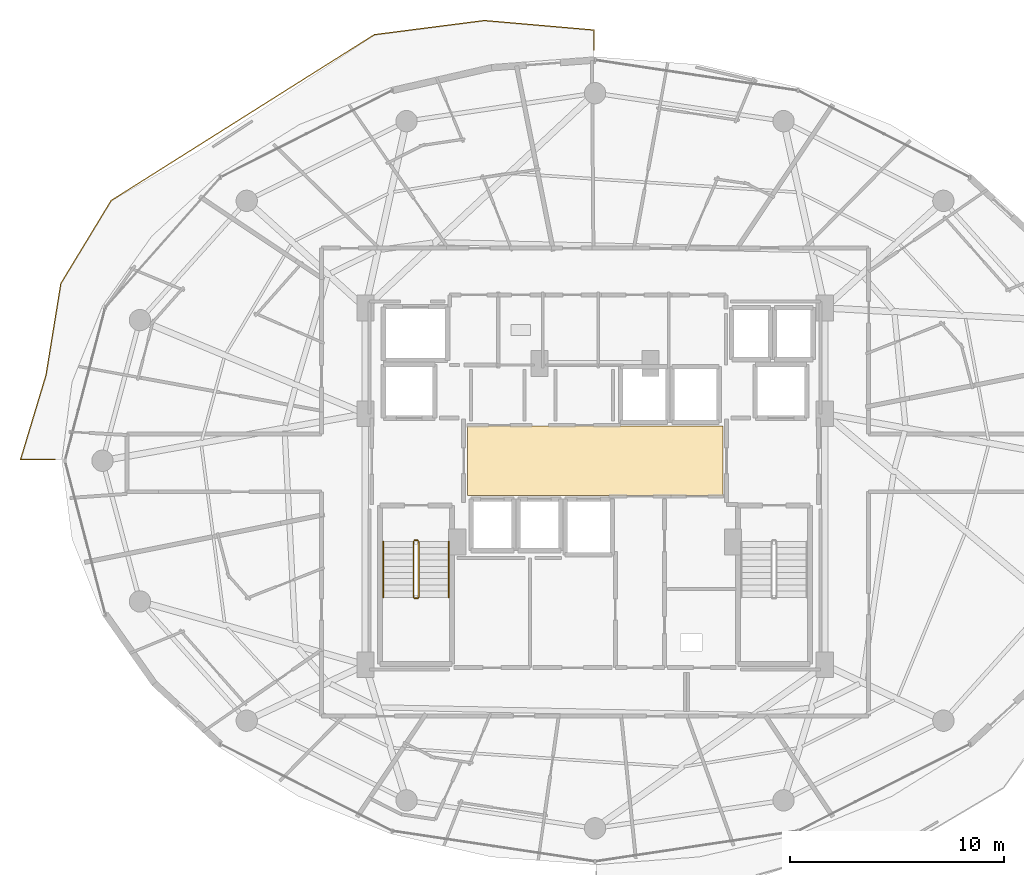
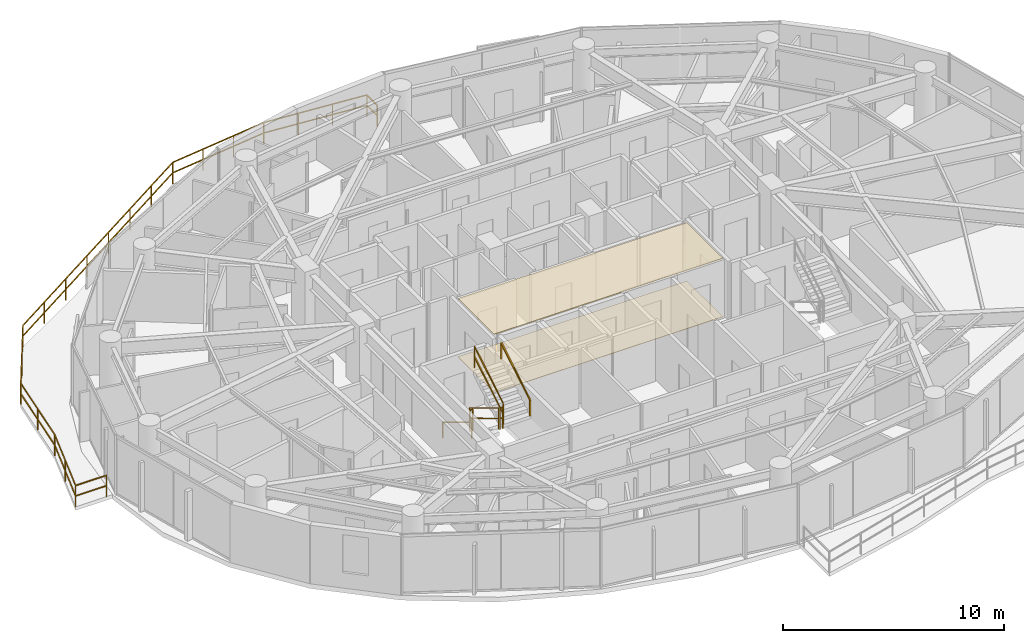
# One storey, part 27 of 30: 8 railings, 2 coverings.
"""IFC4 building model written with IfcOpenShell, lengths in metres."""

from ifc_helpers import new_model, si_unit, direction, frame, origin, origin_2d, place, context, subcontext, project, spatial, polyline, rectangle, outline, extrude, material, layer, layer_set, type_object, element, save


model = new_model("IFC4")

# Units and contexts
model_context = context("Model", 3, precision=1e-05, world=origin(), true_north=direction((0.0, 1.0)))
body_context = subcontext(model_context, "Body", "Model", "MODEL_VIEW")
ifc_project = project(units=[si_unit("LENGTHUNIT", "METRE"), si_unit("AREAUNIT", "SQUARE_METRE"), si_unit("VOLUMEUNIT", "CUBIC_METRE"), si_unit("PLANEANGLEUNIT", "RADIAN"), si_unit("MASSUNIT", "GRAM", prefix="KILO")], contexts=[model_context])

# Site, building, storey
site_placement = place(None, origin())
site = spatial("IfcSite", under=ifc_project, at=site_placement, CompositionType="ELEMENT")
building_placement = place(site_placement, origin())
building = spatial("IfcBuilding", under=site, at=building_placement, Name="Vorneva Point Tower", CompositionType="ELEMENT")
storey_placement = place(building_placement, frame((0.0, 0.0, 157.10009765625)))
storey = spatial("IfcBuildingStorey", under=building, at=storey_placement, Name="L42", CompositionType="ELEMENT", Elevation=157.10009765625)

# Coverings
ifc_material_1 = material(Name="Perforated acoustic aluminium baffle ceiling", Category="aluminium")
ifc_layer_1 = layer(ifc_material_1, 0.030029296875)
ifc_layer_set_1 = layer_set([ifc_layer_1], Name="Perforated acoustic aluminium baffle ceiling")
covering_type_1 = type_object("IfcCoveringType", Name="COV-CEIL-BAF", PredefinedType="CEILING", material=ifc_layer_set_1)
covering_1_placement = place(storey_placement, frame((0.0, 0.0, 3.2099609375)))
element("IfcCovering", 1, at=covering_1_placement, inside=storey, type_object=covering_type_1, Name="L42 Lift Lobby Acoustic Baffle Ceiling", PredefinedType="CEILING", context=body_context, shape_type="SweptSolid", body=[
    extrude(outline(polyline([(32.02001953125, 24.3701171875), (43.97998046875, 24.3701171875), (43.97998046875, 27.6298828125), (32.02001953125, 27.6298828125), (32.02001953125, 24.3701171875)])), origin(), (0.0, 0.0, 1.0), 0.034912109375),
])
ifc_material_2 = material(Name="Acoustic wool hospitality carpet", Category="textile")
ifc_layer_2 = layer(ifc_material_2, 0.01806640625)
ifc_layer_set_2 = layer_set([ifc_layer_2], Name="Acoustic wool hospitality carpet")
covering_type_2 = type_object("IfcCoveringType", Name="COV-FLR-CRP", PredefinedType="FLOORING", material=ifc_layer_set_2)
covering_2_placement = place(storey_placement, frame((0.0, 0.0, -0.005126953125)))
element("IfcCovering", 2, at=covering_2_placement, inside=storey, type_object=covering_type_2, Name="L42 Lift Lobby Floor Finish", PredefinedType="FLOORING", context=body_context, shape_type="SweptSolid", body=[
    extrude(outline(polyline([(32.02001953125, 24.3701171875), (43.97998046875, 24.3701171875), (43.97998046875, 27.6298828125), (32.02001953125, 27.6298828125), (32.02001953125, 24.3701171875)])), origin(), (0.0, 0.0, 1.0), 0.02294921875),
])

# Railings
ifc_material_3 = material(Name="Pale anodised aluminium", Category="aluminium")
railing_type_1 = type_object("IfcRailingType", Name="RL-BAL-1200", PredefinedType="BALUSTRADE", material=ifc_material_3)
railing_1_placement = place(storey_placement, frame((11.114990234375, 26.050048828125, 0.0)))
element("IfcRailing", 3, at=railing_1_placement, inside=storey, type_object=railing_type_1, Name="L42 Wave Balcony Balustrade NW.1", PredefinedType="BALUSTRADE", context=body_context, shape_type="SweptSolid", body=[
    extrude(rectangle(XDim=0.048095703125, YDim=0.048095703125, at=origin_2d()), frame((0.0, 0.0, 1.17578125), z_axis=(1.0, 0.0, 0.0), x_axis=(0.0, 1.0, 0.0)), (0.0, 0.0, 1.0), 1.618896484375),
    extrude(rectangle(XDim=0.048095703125, YDim=0.048095703125, at=origin_2d()), frame((0.0, 0.0, 0.60009765625), z_axis=(1.0, 0.0, 0.0), x_axis=(0.0, 1.0, 0.0)), (0.0, 0.0, 1.0), 1.618896484375),
    extrude(rectangle(XDim=0.0419921875, YDim=0.0419921875, at=origin_2d()), origin(), (0.0, 0.0, 1.0), 1.15185546875),
    extrude(rectangle(XDim=0.0419921875, YDim=0.0419921875, at=origin_2d()), frame((1.618896484375, 0.0, 0.0)), (0.0, 0.0, 1.0), 1.15185546875),
])
railing_2_placement = place(storey_placement, frame((37.949951171875, 45.21728515625, 0.0)))
element("IfcRailing", 4, at=railing_2_placement, inside=storey, type_object=railing_type_1, Name="L42 Wave Balcony Balustrade NW.2", PredefinedType="BALUSTRADE", context=body_context, shape_type="SweptSolid", body=[
    extrude(rectangle(XDim=0.048095703125, YDim=0.048095703125, at=origin_2d()), frame((0.0, 0.0, 1.17578125), z_axis=(0.0, 1.0, 0.0), x_axis=(-1.0, 0.0, 0.0)), (0.0, 0.0, 1.0), 0.93701171875),
    extrude(rectangle(XDim=0.048095703125, YDim=0.048095703125, at=origin_2d()), frame((0.0, 0.0, 0.60009765625), z_axis=(0.0, 1.0, 0.0), x_axis=(-1.0, 0.0, 0.0)), (0.0, 0.0, 1.0), 0.93701171875),
    extrude(rectangle(XDim=0.048095703125, YDim=0.048095703125, at=origin_2d()), frame((0.0, 0.93701171875, 1.17578125), z_axis=(-0.996243079237, 0.086600964614, 0.0), x_axis=(-0.086600964614, -0.996243079237, 0.0)), (0.0, 0.0, 1.0), 5.147705078125),
    extrude(rectangle(XDim=0.048095703125, YDim=0.048095703125, at=origin_2d()), frame((0.0, 0.93701171875, 0.60009765625), z_axis=(-0.996243079237, 0.086600964614, 0.0), x_axis=(-0.086600964614, -0.996243079237, 0.0)), (0.0, 0.0, 1.0), 5.147705078125),
    extrude(rectangle(XDim=0.048095703125, YDim=0.048095703125, at=origin_2d()), frame((-5.12841796875, 1.3828125, 1.17578125), z_axis=(-0.991850899775, -0.127404052585, 0.0), x_axis=(0.127404052585, -0.991850899775, 0.0)), (0.0, 0.0, 1.0), 5.189208984375),
    extrude(rectangle(XDim=0.048095703125, YDim=0.048095703125, at=origin_2d()), frame((-5.12841796875, 1.3828125, 0.60009765625), z_axis=(-0.991850899775, -0.127404052585, 0.0), x_axis=(0.127404052585, -0.991850899775, 0.0)), (0.0, 0.0, 1.0), 5.189208984375),
    extrude(rectangle(XDim=0.048095703125, YDim=0.048095703125, at=origin_2d()), frame((-10.275390625, 0.7216796875, 1.17578125), z_axis=(-0.846000083638, -0.533182762742, 0.0), x_axis=(0.533182762742, -0.846000083638, 0.0)), (0.0, 0.0, 1.0), 14.56103515625),
    extrude(rectangle(XDim=0.048095703125, YDim=0.048095703125, at=origin_2d()), frame((-10.275390625, 0.7216796875, 0.60009765625), z_axis=(-0.846000083638, -0.533182762742, 0.0), x_axis=(0.533182762742, -0.846000083638, 0.0)), (0.0, 0.0, 1.0), 14.56103515625),
    extrude(rectangle(XDim=0.048095703125, YDim=0.048095703125, at=origin_2d()), frame((-22.593994140625, -7.0419921875, 1.17578125), z_axis=(-0.518660697508, -0.854980164016, 0.0), x_axis=(0.854980164016, -0.518660697508, 0.0)), (0.0, 0.0, 1.0), 4.536376953125),
    extrude(rectangle(XDim=0.048095703125, YDim=0.048095703125, at=origin_2d()), frame((-22.593994140625, -7.0419921875, 0.60009765625), z_axis=(-0.518660697508, -0.854980164016, 0.0), x_axis=(0.854980164016, -0.518660697508, 0.0)), (0.0, 0.0, 1.0), 4.536376953125),
    extrude(rectangle(XDim=0.048095703125, YDim=0.048095703125, at=origin_2d()), frame((-24.94677734375, -10.92041015625, 1.17578125), z_axis=(-0.160142185803, -0.987093957193, 0.0), x_axis=(0.987093957193, -0.160142185803, 0.0)), (0.0, 0.0, 1.0), 4.344970703125),
    extrude(rectangle(XDim=0.048095703125, YDim=0.048095703125, at=origin_2d()), frame((-24.94677734375, -10.92041015625, 0.60009765625), z_axis=(-0.160142185803, -0.987093957193, 0.0), x_axis=(0.987093957193, -0.160142185803, 0.0)), (0.0, 0.0, 1.0), 4.344970703125),
    extrude(rectangle(XDim=0.048095703125, YDim=0.048095703125, at=origin_2d()), frame((-25.642578125, -15.209228515625, 1.17578125), z_axis=(-0.28845305272, -0.957494039865, 0.0), x_axis=(0.957494039865, -0.28845305272, 0.0)), (0.0, 0.0, 1.0), 4.1337890625),
    extrude(rectangle(XDim=0.048095703125, YDim=0.048095703125, at=origin_2d()), frame((-25.642578125, -15.209228515625, 0.60009765625), z_axis=(-0.28845305272, -0.957494039865, 0.0), x_axis=(0.957494039865, -0.28845305272, 0.0)), (0.0, 0.0, 1.0), 4.1337890625),
    extrude(rectangle(XDim=0.0419921875, YDim=0.0419921875, at=origin_2d()), origin(), (0.0, 0.0, 1.0), 1.15185546875),
    extrude(rectangle(XDim=0.0419921875, YDim=0.0419921875, at=origin_2d()), frame((0.0, 0.93701171875, 0.0)), (0.0, 0.0, 1.0), 1.15185546875),
    extrude(rectangle(XDim=0.0419921875, YDim=0.0419921875, at=origin_2d()), frame((-1.70947265625, 1.085693359375, 0.0)), (0.0, 0.0, 1.0), 1.15185546875),
    extrude(rectangle(XDim=0.0419921875, YDim=0.0419921875, at=origin_2d()), frame((-3.4189453125, 1.234130859375, 0.0)), (0.0, 0.0, 1.0), 1.15185546875),
    extrude(rectangle(XDim=0.0419921875, YDim=0.0419921875, at=origin_2d()), frame((-5.12841796875, 1.3828125, 0.0)), (0.0, 0.0, 1.0), 1.15185546875),
    extrude(rectangle(XDim=0.0419921875, YDim=0.0419921875, at=origin_2d()), frame((-6.843994140625, 1.162353515625, 0.0)), (0.0, 0.0, 1.0), 1.15185546875),
    extrude(rectangle(XDim=0.0419921875, YDim=0.0419921875, at=origin_2d()), frame((-8.559814453125, 0.942138671875, 0.0)), (0.0, 0.0, 1.0), 1.15185546875),
    extrude(rectangle(XDim=0.0419921875, YDim=0.0419921875, at=origin_2d()), frame((-10.275390625, 0.7216796875, 0.0)), (0.0, 0.0, 1.0), 1.15185546875),
    extrude(rectangle(XDim=0.0419921875, YDim=0.0419921875, at=origin_2d()), frame((-12.03515625, -0.387451171875, 0.0)), (0.0, 0.0, 1.0), 1.15185546875),
    extrude(rectangle(XDim=0.0419921875, YDim=0.0419921875, at=origin_2d()), frame((-13.794921875, -1.49658203125, 0.0)), (0.0, 0.0, 1.0), 1.15185546875),
    extrude(rectangle(XDim=0.0419921875, YDim=0.0419921875, at=origin_2d()), frame((-15.5546875, -2.605712890625, 0.0)), (0.0, 0.0, 1.0), 1.15185546875),
    extrude(rectangle(XDim=0.0419921875, YDim=0.0419921875, at=origin_2d()), frame((-17.314697265625, -3.714599609375, 0.0)), (0.0, 0.0, 1.0), 1.15185546875),
    extrude(rectangle(XDim=0.0419921875, YDim=0.0419921875, at=origin_2d()), frame((-19.074462890625, -4.82373046875, 0.0)), (0.0, 0.0, 1.0), 1.15185546875),
    extrude(rectangle(XDim=0.0419921875, YDim=0.0419921875, at=origin_2d()), frame((-20.834228515625, -5.932861328125, 0.0)), (0.0, 0.0, 1.0), 1.15185546875),
    extrude(rectangle(XDim=0.0419921875, YDim=0.0419921875, at=origin_2d()), frame((-22.593994140625, -7.0419921875, 0.0)), (0.0, 0.0, 1.0), 1.15185546875),
    extrude(rectangle(XDim=0.0419921875, YDim=0.0419921875, at=origin_2d()), frame((-23.7705078125, -8.981201171875, 0.0)), (0.0, 0.0, 1.0), 1.15185546875),
    extrude(rectangle(XDim=0.0419921875, YDim=0.0419921875, at=origin_2d()), frame((-24.94677734375, -10.92041015625, 0.0)), (0.0, 0.0, 1.0), 1.15185546875),
    extrude(rectangle(XDim=0.0419921875, YDim=0.0419921875, at=origin_2d()), frame((-25.294677734375, -13.06494140625, 0.0)), (0.0, 0.0, 1.0), 1.15185546875),
    extrude(rectangle(XDim=0.0419921875, YDim=0.0419921875, at=origin_2d()), frame((-25.642578125, -15.209228515625, 0.0)), (0.0, 0.0, 1.0), 1.15185546875),
    extrude(rectangle(XDim=0.0419921875, YDim=0.0419921875, at=origin_2d()), frame((-26.23876953125, -17.188232421875, 0.0)), (0.0, 0.0, 1.0), 1.15185546875),
    extrude(rectangle(XDim=0.0419921875, YDim=0.0419921875, at=origin_2d()), frame((-26.8349609375, -19.167236328125, 0.0)), (0.0, 0.0, 1.0), 1.15185546875),
])
ifc_material_4 = material(Name="Brushed stainless steel S304", Category="steel")
railing_type_2 = type_object("IfcRailingType", Name="RL-HND-920", PredefinedType="HANDRAIL", material=ifc_material_4)
railing_3_placement = place(storey_placement, frame((28.10009765625, 22.219970703125, 0.1748046875)))
element("IfcRailing", 5, at=railing_3_placement, inside=storey, type_object=railing_type_2, Name="L42 ST1 stair handrail 1", PredefinedType="HANDRAIL", context=body_context, shape_type="SweptSolid", body=[
    extrude(rectangle(XDim=0.048095703125, YDim=0.048095703125, at=origin_2d()), frame((0.0, 0.0, 0.8759765625), z_axis=(0.0, -0.856147343639, 0.516731773728), x_axis=(1.0, 0.0, 0.0)), (0.0, 0.0, 1.0), 3.04833984375),
    extrude(rectangle(XDim=0.0419921875, YDim=0.0419921875, at=origin_2d()), origin(), (0.0, 0.0, 1.0), 0.851806640625),
    extrude(rectangle(XDim=0.0419921875, YDim=0.0419921875, at=origin_2d()), frame((0.0, -2.60986328125, 1.5751953125)), (0.0, 0.0, 1.0), 0.851806640625),
])
railing_4_placement = place(storey_placement, frame((31.14990234375, 19.610107421875, 1.9248046875)))
element("IfcRailing", 6, at=railing_4_placement, inside=storey, type_object=railing_type_2, Name="L42 ST1 stair handrail 2", PredefinedType="HANDRAIL", context=body_context, shape_type="SweptSolid", body=[
    extrude(rectangle(XDim=0.048095703125, YDim=0.048095703125, at=origin_2d()), frame((0.0, 0.0, 0.8759765625), z_axis=(0.0, 0.856147343639, 0.516731773728), x_axis=(-1.0, 0.0, 0.0)), (0.0, 0.0, 1.0), 3.04833984375),
    extrude(rectangle(XDim=0.0419921875, YDim=0.0419921875, at=origin_2d()), origin(), (0.0, 0.0, 1.0), 0.851806640625),
    extrude(rectangle(XDim=0.0419921875, YDim=0.0419921875, at=origin_2d()), frame((0.0, 2.60986328125, 1.5751953125)), (0.0, 0.0, 1.0), 0.851806640625),
])
railing_type_3 = type_object("IfcRailingType", Name="RL-STG-1100", PredefinedType="GUARDRAIL", material=ifc_material_4)
railing_5_placement = place(storey_placement, frame((29.5, 22.219970703125, 0.1748046875)))
element("IfcRailing", 7, at=railing_5_placement, inside=storey, type_object=railing_type_3, Name="L42 ST1 stair guard 1", PredefinedType="GUARDRAIL", context=body_context, shape_type="SweptSolid", body=[
    extrude(rectangle(XDim=0.048095703125, YDim=0.048095703125, at=origin_2d()), frame((0.0, 0.0, 1.17578125), z_axis=(0.0, -0.856147343639, 0.516731773728), x_axis=(1.0, 0.0, 0.0)), (0.0, 0.0, 1.0), 3.04833984375),
    extrude(rectangle(XDim=0.048095703125, YDim=0.048095703125, at=origin_2d()), frame((0.0, 0.0, 0.60009765625), z_axis=(0.0, -0.856147343639, 0.516731773728), x_axis=(1.0, 0.0, 0.0)), (0.0, 0.0, 1.0), 3.04833984375),
    extrude(rectangle(XDim=0.0419921875, YDim=0.0419921875, at=origin_2d()), origin(), (0.0, 0.0, 1.0), 1.15185546875),
    extrude(rectangle(XDim=0.0419921875, YDim=0.0419921875, at=origin_2d()), frame((0.0, -2.60986328125, 1.5751953125)), (0.0, 0.0, 1.0), 1.15185546875),
])
railing_6_placement = place(storey_placement, frame((29.550048828125, 19.56005859375, 1.75)))
element("IfcRailing", 8, at=railing_6_placement, inside=storey, type_object=railing_type_3, Name="L42 ST1 stair guard 2", PredefinedType="GUARDRAIL", context=body_context, shape_type="SweptSolid", body=[
    extrude(rectangle(XDim=0.048095703125, YDim=0.048095703125, at=origin_2d()), frame((0.0, 0.0, 1.17578125), z_axis=(1.0, 0.0, 0.0), x_axis=(0.0, 1.0, 0.0)), (0.0, 0.0, 1.0), 0.14990234375),
    extrude(rectangle(XDim=0.048095703125, YDim=0.048095703125, at=origin_2d()), frame((0.0, 0.0, 0.60009765625), z_axis=(1.0, 0.0, 0.0), x_axis=(0.0, 1.0, 0.0)), (0.0, 0.0, 1.0), 0.14990234375),
    extrude(rectangle(XDim=0.0419921875, YDim=0.0419921875, at=origin_2d()), origin(), (0.0, 0.0, 1.0), 1.15185546875),
    extrude(rectangle(XDim=0.0419921875, YDim=0.0419921875, at=origin_2d()), frame((0.14990234375, 0.0, 0.0)), (0.0, 0.0, 1.0), 1.15185546875),
])
railing_7_placement = place(storey_placement, frame((29.75, 19.610107421875, 1.9248046875)))
element("IfcRailing", 9, at=railing_7_placement, inside=storey, type_object=railing_type_3, Name="L42 ST1 stair guard 3", PredefinedType="GUARDRAIL", context=body_context, shape_type="SweptSolid", body=[
    extrude(rectangle(XDim=0.048095703125, YDim=0.048095703125, at=origin_2d()), frame((0.0, 0.0, 1.17578125), z_axis=(0.0, 0.856147343639, 0.516731773728), x_axis=(-1.0, 0.0, 0.0)), (0.0, 0.0, 1.0), 3.04833984375),
    extrude(rectangle(XDim=0.048095703125, YDim=0.048095703125, at=origin_2d()), frame((0.0, 0.0, 0.60009765625), z_axis=(0.0, 0.856147343639, 0.516731773728), x_axis=(-1.0, 0.0, 0.0)), (0.0, 0.0, 1.0), 3.04833984375),
    extrude(rectangle(XDim=0.0419921875, YDim=0.0419921875, at=origin_2d()), origin(), (0.0, 0.0, 1.0), 1.15185546875),
    extrude(rectangle(XDim=0.0419921875, YDim=0.0419921875, at=origin_2d()), frame((0.0, 2.60986328125, 1.5751953125)), (0.0, 0.0, 1.0), 1.15185546875),
])
railing_8_placement = place(storey_placement, frame((29.550048828125, 22.27001953125, 0.0)))
element("IfcRailing", 10, at=railing_8_placement, inside=storey, type_object=railing_type_3, Name="L42 ST1 stair guard 4", PredefinedType="GUARDRAIL", context=body_context, shape_type="SweptSolid", body=[
    extrude(rectangle(XDim=0.048095703125, YDim=0.048095703125, at=origin_2d()), frame((0.0, 0.0, 1.17578125), z_axis=(1.0, 0.0, 0.0), x_axis=(0.0, 1.0, 0.0)), (0.0, 0.0, 1.0), 0.14990234375),
    extrude(rectangle(XDim=0.048095703125, YDim=0.048095703125, at=origin_2d()), frame((0.0, 0.0, 0.60009765625), z_axis=(1.0, 0.0, 0.0), x_axis=(0.0, 1.0, 0.0)), (0.0, 0.0, 1.0), 0.14990234375),
    extrude(rectangle(XDim=0.0419921875, YDim=0.0419921875, at=origin_2d()), origin(), (0.0, 0.0, 1.0), 1.15185546875),
    extrude(rectangle(XDim=0.0419921875, YDim=0.0419921875, at=origin_2d()), frame((0.14990234375, 0.0, 0.0)), (0.0, 0.0, 1.0), 1.15185546875),
])

save(model, "model.ifc")
